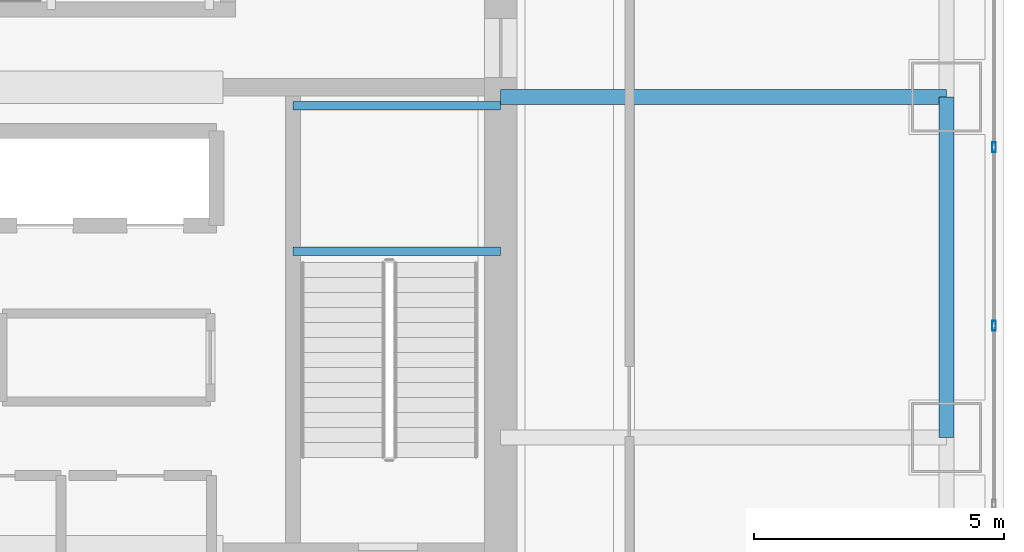
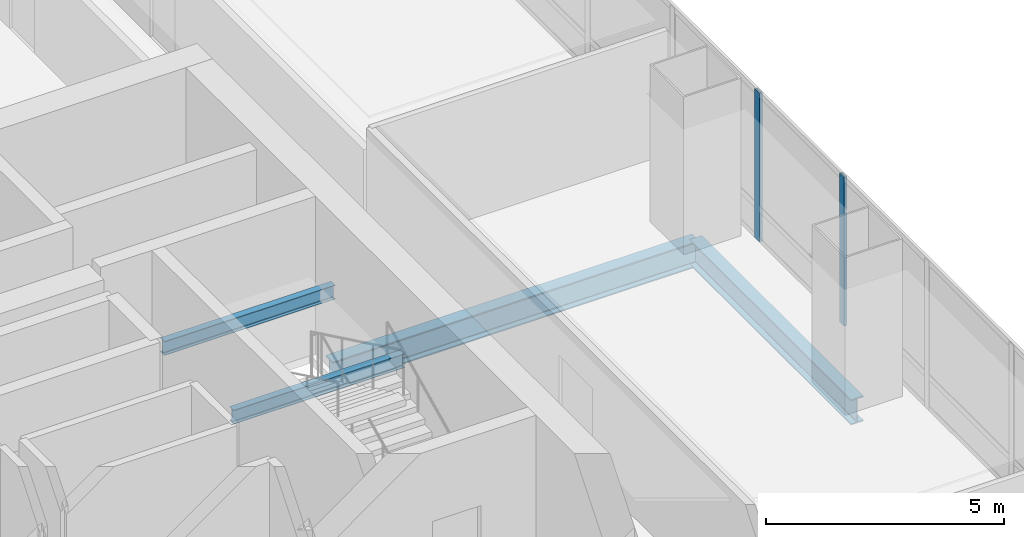
# One storey, part 16 of 37: 4 beams, 2 members, 1 element without a shape of its own.
"""IFC4 building model written with IfcOpenShell, lengths in metres."""

from ifc_helpers import new_model, si_unit, direction, frame, origin, origin_2d, place, context, subcontext, project, spatial, hollow_rectangle, i_section, extrude, material, material_profile, profile_set, type_object, element, aggregate, save


model = new_model("IFC4")

# Units and contexts
model_context = context("Model", 3, precision=1e-05, world=origin(), true_north=direction((0.0, 1.0)))
body_context = subcontext(model_context, "Body", "Model", "MODEL_VIEW")
ifc_project = project(units=[si_unit("LENGTHUNIT", "METRE"), si_unit("AREAUNIT", "SQUARE_METRE"), si_unit("VOLUMEUNIT", "CUBIC_METRE"), si_unit("PLANEANGLEUNIT", "RADIAN"), si_unit("MASSUNIT", "GRAM", prefix="KILO")], contexts=[model_context])

# Site, building, storey
site_placement = place(None, origin())
site = spatial("IfcSite", under=ifc_project, at=site_placement, CompositionType="ELEMENT")
building_placement = place(site_placement, origin())
building = spatial("IfcBuilding", under=site, at=building_placement, Name="Punatoya Terracotta Tower", CompositionType="ELEMENT")
storey_placement = place(building_placement, frame((0.0, 0.0, 164.10009765625)))
storey = spatial("IfcBuildingStorey", under=building, at=storey_placement, Name="L38", CompositionType="ELEMENT", Elevation=164.10009765625)

# Beams
ifc_material_1 = material(Name="Steel S355", Category="steel")
ifc_material_profile_1 = material_profile(ifc_material_1, i_section(OverallWidth=0.300048828125, OverallDepth=0.64990234375, WebThickness=0.01611328125, FlangeThickness=0.031005859375, FilletRadius=0.01806640625, at=origin_2d()))
ifc_profile_set_1 = profile_set([ifc_material_profile_1], Name="Steel S355")
beam_type_1 = type_object("IfcBeamType", Name="BM-PRI-650", PredefinedType="BEAM", material=ifc_profile_set_1)
beam_1_placement = place(storey_placement, frame((19.10009765625, -3.39990234375, -0.545166015625), z_axis=(0.0, 1.0, 0.0), x_axis=(-1.0, 0.0, 0.0)))
element("IfcBeam", 1, at=beam_1_placement, inside=storey, type_object=beam_type_1, Name="BM-L38-RG-E2", PredefinedType="BEAM", context=body_context, shape_type="SweptSolid", body=[
    extrude(i_section(OverallWidth=0.300048828125, OverallDepth=0.64990234375, WebThickness=0.01611328125, FlangeThickness=0.031005859375, FilletRadius=0.01806640625, at=origin_2d()), origin(), (0.0, 0.0, 1.0), 6.7998046875),
])
beam_2_placement = place(storey_placement, frame((10.199951171875, 3.39990234375, -0.545166015625), z_axis=(1.0, 0.0, 0.0), x_axis=(0.0, 1.0, 0.0)))
element("IfcBeam", 2, at=beam_2_placement, inside=storey, type_object=beam_type_1, Name="BM-L38-PR-EE", PredefinedType="BEAM", context=body_context, shape_type="SweptSolid", body=[
    extrude(i_section(OverallWidth=0.300048828125, OverallDepth=0.64990234375, WebThickness=0.01611328125, FlangeThickness=0.031005859375, FilletRadius=0.01806640625, at=origin_2d()), origin(), (0.0, 0.0, 1.0), 8.900146484375),
])
ifc_material_profile_2 = material_profile(ifc_material_1, i_section(OverallWidth=0.169921875, OverallDepth=0.360107421875, WebThickness=0.008056640625, FlangeThickness=0.0126953125, FilletRadius=0.01806640625, at=origin_2d()))
ifc_profile_set_2 = profile_set([ifc_material_profile_2], Name="Steel S355")
beam_type_2 = type_object("IfcBeamType", Name="BM-SEC-360", PredefinedType="JOIST", material=ifc_profile_set_2)
for number, where, z_axis, x_axis, name in (
    (3, (6.050048828125, 0.320068359375, 1.64501953125), (1.0, 0.0, 0.0), (0.0, 1.0, 0.0), "BM-L38-ST-2-LD1A"),
    (4, (6.050048828125, 3.22998046875, 1.64501953125), (1.0, 0.0, 0.0), (0.0, 1.0, 0.0), "BM-L38-ST-2-LD1B"),
):
    element("IfcBeam", number, at=place(storey_placement, frame(where, z_axis=z_axis, x_axis=x_axis)), inside=storey, type_object=beam_type_2, Name=name, PredefinedType="JOIST", context=body_context, shape_type="SweptSolid", body=[
        extrude(i_section(OverallWidth=0.169921875, OverallDepth=0.360107421875, WebThickness=0.008056640625, FlangeThickness=0.0126953125, FilletRadius=0.01806640625, at=origin_2d()), origin(), (0.0, 0.0, 1.0), 4.14990234375),
    ])

# Curtain wall, members
ifc_material_2 = material(Name="Aluminium 6063-T6 + Double Low-E Glass", Category="aluminium")
curtain_wall_type = type_object("IfcCurtainWallType", Name="CW-M2", PredefinedType="NOTDEFINED", material=ifc_material_2)
curtain_wall_placement = place(storey_placement, origin())
curtain_wall = element("IfcCurtainWall", 5, at=curtain_wall_placement, inside=storey, type_object=curtain_wall_type, Name="L38 Curtain Wall CW-L38-E05-1", PredefinedType="NOTDEFINED")
ifc_material_3 = material(Name="Aluminium 6063-T6", Category="aluminium")
ifc_material_profile_3 = material_profile(ifc_material_3, hollow_rectangle(XDim=0.072021484375, YDim=0.195068359375, WallThickness=0.00439453125, at=origin_2d()))
ifc_profile_set_3 = profile_set([ifc_material_profile_3], Name="Aluminium 6063-T6")
member_type = type_object("IfcMemberType", Name="CW-MUL-M2", PredefinedType="MULLION", material=ifc_profile_set_3)
member_1_placement = place(storey_placement, frame((20.050048828125, -1.16748046875, 0.0), z_axis=(0.0, 0.0, 1.0), x_axis=(1.0, 0.0, 0.0)))
member_1 = element("IfcMember", 6, at=member_1_placement, type_object=member_type, Name="CW-L38-E05-1 Mullion 04", PredefinedType="MULLION", context=body_context, shape_type="SweptSolid", body=[
    extrude(hollow_rectangle(XDim=0.072021484375, YDim=0.195068359375, WallThickness=0.00439453125, at=origin_2d()), origin(), (0.0, 0.0, 1.0), 3.829833984375),
])
member_2_placement = place(storey_placement, frame((20.050048828125, 2.39990234375, 0.0), z_axis=(0.0, 0.0, 1.0), x_axis=(1.0, 0.0, 0.0)))
member_2 = element("IfcMember", 7, at=member_2_placement, type_object=member_type, Name="CW-L38-E05-1 Mullion 05", PredefinedType="MULLION", context=body_context, shape_type="SweptSolid", body=[
    extrude(hollow_rectangle(XDim=0.072021484375, YDim=0.195068359375, WallThickness=0.00439453125, at=origin_2d()), origin(), (0.0, 0.0, 1.0), 3.829833984375),
])
aggregate(curtain_wall, [member_1, member_2])

save(model, "model.ifc")
